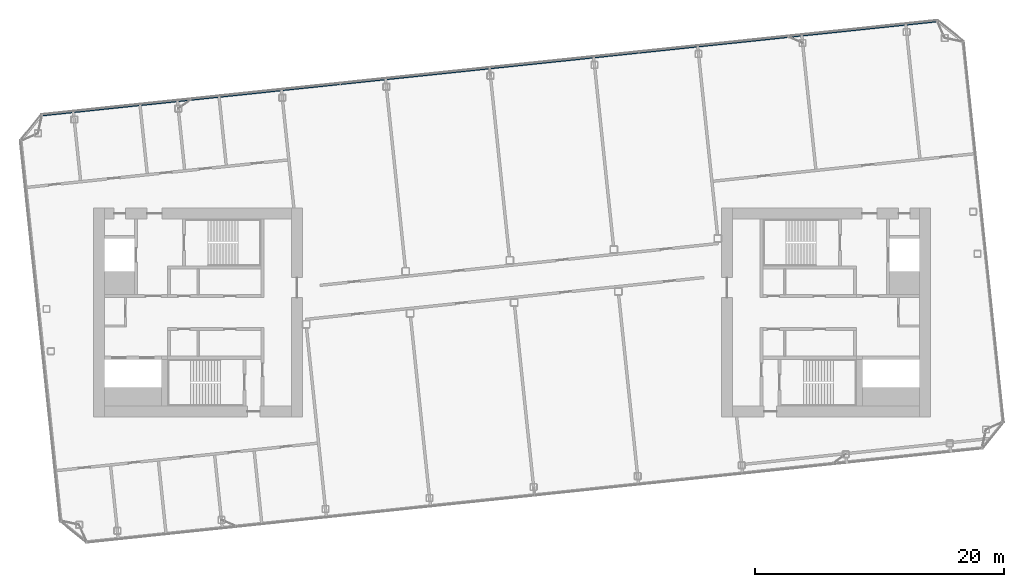
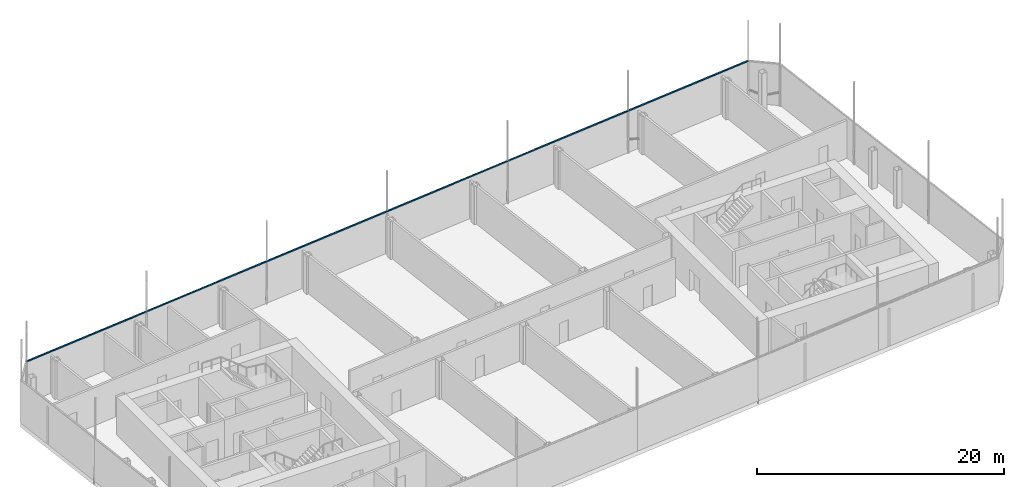
# One storey, part 11 of 41: 1 member, 1 element without a shape of its own.
"""IFC4 building model written with IfcOpenShell, lengths in metres."""

from ifc_helpers import new_model, si_unit, direction, frame, origin, origin_2d, place, context, subcontext, project, spatial, rectangle, extrude, material, layer, layer_set, material_profile, profile_set, type_object, element, aggregate, save


model = new_model("IFC4")

# Units and contexts
model_context = context("Model", 3, precision=1e-05, world=origin(), true_north=direction((0.0, 1.0)))
body_context = subcontext(model_context, "Body", "Model", "MODEL_VIEW")
ifc_project = project(units=[si_unit("LENGTHUNIT", "METRE"), si_unit("AREAUNIT", "SQUARE_METRE"), si_unit("VOLUMEUNIT", "CUBIC_METRE"), si_unit("PLANEANGLEUNIT", "RADIAN"), si_unit("MASSUNIT", "GRAM", prefix="KILO")], contexts=[model_context])

# Site, building, storey
site_placement = place(None, origin())
site = spatial("IfcSite", under=ifc_project, at=site_placement, CompositionType="ELEMENT")
building_placement = place(site_placement, origin())
building = spatial("IfcBuilding", under=site, at=building_placement, Name="Hakoniwa Tower and Hamabe Station Hall", CompositionType="ELEMENT")
storey_placement = place(building_placement, frame((0.0, 0.0, 276.60009765625)))
storey = spatial("IfcBuildingStorey", under=building, at=storey_placement, Name="L77", CompositionType="ELEMENT", Elevation=276.60009765625)

# Curtain wall, member
ifc_material_1 = material(Name="Dark low-e laminated glass", Category="glass")
ifc_layer = layer(ifc_material_1, 0.199951171875)
ifc_layer_set = layer_set([ifc_layer], Name="CW-4 CROWN FACETS")
curtain_wall_type = type_object("IfcCurtainWallType", Name="CW-4 CROWN FACETS", PredefinedType="NOTDEFINED", material=ifc_layer_set)
curtain_wall_placement = place(storey_placement, origin())
curtain_wall = element("IfcCurtainWall", 1, at=curtain_wall_placement, inside=storey, type_object=curtain_wall_type, Name="Crown skirt facet L77", PredefinedType="NOTDEFINED")
ifc_material_2 = material(Name="Aluminium 6063-T5 black anodised", Category="aluminium")
ifc_material_profile = material_profile(ifc_material_2, rectangle(XDim=0.06005859375, YDim=0.1201171875, at=origin_2d()), Name="CW-4 GLAZING BAR 60X120")
ifc_profile_set = profile_set([ifc_material_profile], Name="Aluminium 6063-T5 black anodised")
member_type = type_object("IfcMemberType", Name="CW-4 GLAZING BAR 60X120", PredefinedType="MULLION", material=ifc_profile_set)
member_placement = place(storey_placement, frame((-37.753662109375, 15.836669921875, 4.199951171875), z_axis=(0.994521722165, 0.104530111172, 0.0), x_axis=(0.0, 0.0, -1.0)))
member = element("IfcMember", 2, at=member_placement, type_object=member_type, Name="Crown glazing bar", PredefinedType="MULLION", context=body_context, shape_type="SweptSolid", body=[
    extrude(rectangle(XDim=0.06005859375, YDim=0.1201171875, at=origin_2d()), origin(), (0.0, 0.0, 1.0), 72.305419921875),
])
aggregate(curtain_wall, [member])

save(model, "model.ifc")
